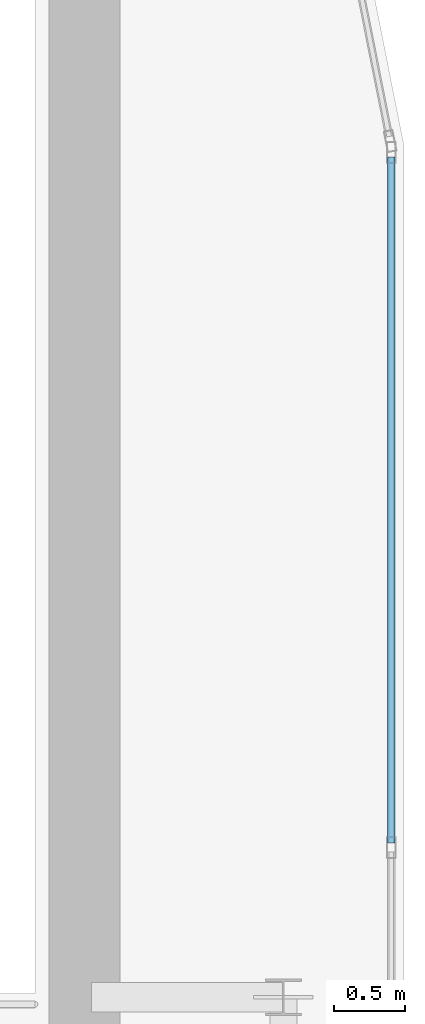
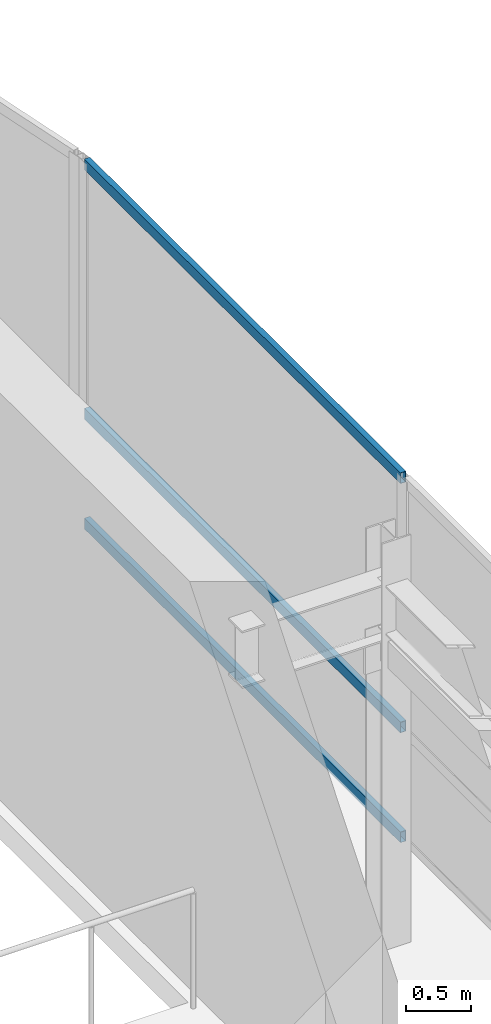
# One storey, part 25 of 35: 3 members, 1 element without a shape of its own.
"""IFC4 building model written with IfcOpenShell, lengths in metres."""

from ifc_helpers import new_model, si_unit, direction, frame, origin, origin_2d, place, context, subcontext, project, spatial, hollow_rectangle, extrude, source, transform, mapped, material, layer, layer_set, material_profile, profile_set, type_object, type_shapes, element, aggregate, save


model = new_model("IFC4")

# Units and contexts
model_context = context("Model", 3, precision=1e-05, world=origin(), true_north=direction((0.0, 1.0)))
body_context = subcontext(model_context, "Body", "Model", "MODEL_VIEW")
ifc_project = project(units=[si_unit("LENGTHUNIT", "METRE"), si_unit("AREAUNIT", "SQUARE_METRE"), si_unit("VOLUMEUNIT", "CUBIC_METRE"), si_unit("PLANEANGLEUNIT", "RADIAN"), si_unit("MASSUNIT", "GRAM", prefix="KILO")], contexts=[model_context])

# Site, building, storey
site_placement = place(None, origin())
site = spatial("IfcSite", under=ifc_project, at=site_placement, CompositionType="ELEMENT")
building_placement = place(site_placement, origin())
building = spatial("IfcBuilding", under=site, at=building_placement, Name="Tolvann Quenvar Hotel", CompositionType="ELEMENT")
storey_placement = place(building_placement, frame((0.0, 0.0, 309.949951171875)))
storey = spatial("IfcBuildingStorey", under=building, at=storey_placement, Name="L82", CompositionType="ELEMENT", Elevation=309.949951171875)

# Curtain wall, members
ifc_material_1 = material(Name="Thermally broken anodised architectural aluminium 6063-T6 and laminated low-E glass", Category="aluminium")
ifc_layer = layer(ifc_material_1, 0.179931640625)
ifc_layer_set = layer_set([ifc_layer], Name="Thermally broken anodised architectural aluminium 6063-T6 and laminated low-E glass")
curtain_wall_type = type_object("IfcCurtainWallType", Name="CW_SYS_LANT_06", PredefinedType="USERDEFINED", material=ifc_layer_set)
curtain_wall_placement = place(storey_placement, origin())
curtain_wall = element("IfcCurtainWall", 1, at=curtain_wall_placement, inside=storey, type_object=curtain_wall_type, Name="Curtain Wall CW-LANT-06 (CWR-L82-E09)", ObjectType="UNITISED CURTAIN WALL", PredefinedType="USERDEFINED")
ifc_material_2 = material(Name="Anodised architectural aluminium 6063-T6 framing", Category="aluminium")
ifc_material_profile = material_profile(ifc_material_2, hollow_rectangle(XDim=0.050048828125, YDim=0.10009765625, WallThickness=0.0029296875, at=origin_2d()), Name="100x50x3RHS")
ifc_profile_set = profile_set([ifc_material_profile], Name="Anodised architectural aluminium 6063-T6 framing")
member_type = type_object("IfcMemberType", Name="CW_TRAN_100x50", PredefinedType="USERDEFINED", material=ifc_profile_set)
shared_shape = source(origin(), body_context, "Body", "SweptSolid", [
    extrude(hollow_rectangle(XDim=0.050048828125, YDim=0.10009765625, WallThickness=0.0029296875, at=origin_2d()), origin(), (0.0, 0.0, 1.0), 4.830078125),
])
type_shapes(member_type, [shared_shape])
member_1_placement = place(storey_placement, frame((37.909912109375, 35.087646484375, 0.025146484375), z_axis=(0.0, 1.0, 0.0), x_axis=(-1.0, 0.0, 0.0)))
member_1 = element("IfcMember", 2, at=member_1_placement, type_object=member_type, Name="CW-LANT-06 transom 6.1", ObjectType="TRANSOM", PredefinedType="USERDEFINED", context=body_context, shape_type="MappedRepresentation", body=[
    mapped(shared_shape, transform((0.0, 0.0, 0.0), x_axis=(1.0, 0.0, 0.0), y_axis=(0.0, 1.0, 0.0), z_axis=(0.0, 0.0, 1.0), scale=1.0)),
])
member_2_placement = place(storey_placement, frame((37.909912109375, 35.087646484375, 1.050048828125), z_axis=(0.0, 1.0, 0.0), x_axis=(-1.0, 0.0, 0.0)))
member_2 = element("IfcMember", 3, at=member_2_placement, type_object=member_type, Name="CW-LANT-06 transom 6.2", ObjectType="TRANSOM", PredefinedType="USERDEFINED", context=body_context, shape_type="MappedRepresentation", body=[
    mapped(shared_shape, transform((0.0, 0.0, 0.0), x_axis=(1.0, 0.0, 0.0), y_axis=(0.0, 1.0, 0.0), z_axis=(0.0, 0.0, 1.0), scale=1.0)),
])
member_3_placement = place(storey_placement, frame((37.909912109375, 35.087646484375, 3.375), z_axis=(0.0, 1.0, 0.0), x_axis=(-1.0, 0.0, 0.0)))
member_3 = element("IfcMember", 4, at=member_3_placement, type_object=member_type, Name="CW-LANT-06 transom 6.3", ObjectType="TRANSOM", PredefinedType="USERDEFINED", context=body_context, shape_type="MappedRepresentation", body=[
    mapped(shared_shape, transform((0.0, 0.0, 0.0), x_axis=(1.0, 0.0, 0.0), y_axis=(0.0, 1.0, 0.0), z_axis=(0.0, 0.0, 1.0), scale=1.0)),
])
aggregate(curtain_wall, [member_1, member_2, member_3])

save(model, "model.ifc")
